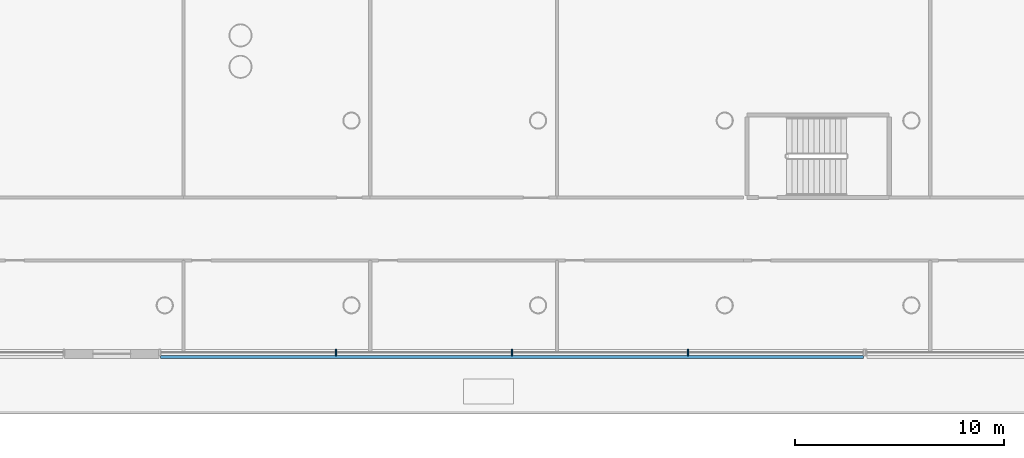
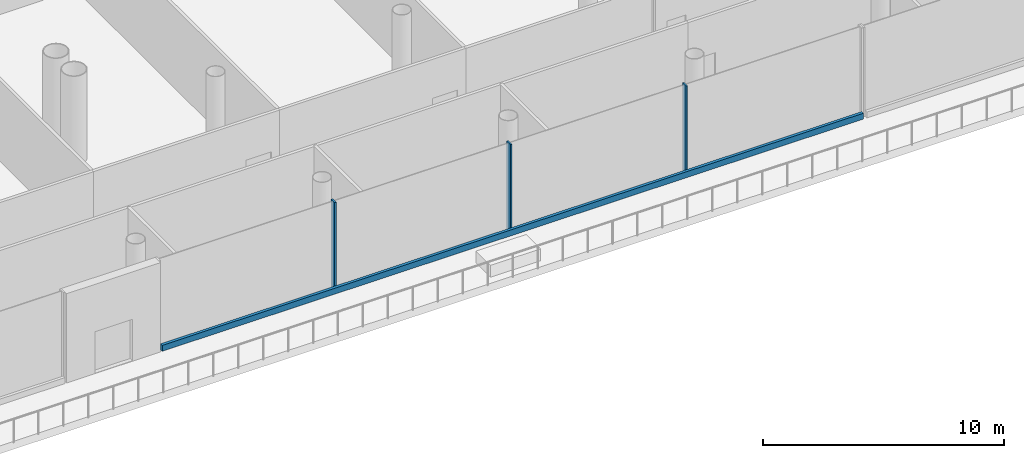
# One storey, part 6 of 49: 4 members, 1 element without a shape of its own.
"""IFC4 building model written with IfcOpenShell, lengths in metres."""

from ifc_helpers import new_model, si_unit, direction, frame, origin, origin_2d, place, context, subcontext, project, spatial, rectangle, extrude, material, layer, layer_set, material_profile, profile_set, type_object, element, aggregate, save


model = new_model("IFC4")

# Units and contexts
model_context = context("Model", 3, precision=1e-05, world=origin(), true_north=direction((0.0, 1.0)))
body_context = subcontext(model_context, "Body", "Model", "MODEL_VIEW")
ifc_project = project(units=[si_unit("LENGTHUNIT", "METRE"), si_unit("AREAUNIT", "SQUARE_METRE"), si_unit("VOLUMEUNIT", "CUBIC_METRE"), si_unit("PLANEANGLEUNIT", "RADIAN"), si_unit("MASSUNIT", "GRAM", prefix="KILO")], contexts=[model_context])

# Site, building, storey
site_placement = place(None, origin())
site = spatial("IfcSite", under=ifc_project, at=site_placement, CompositionType="ELEMENT")
building_placement = place(site_placement, origin())
building = spatial("IfcBuilding", under=site, at=building_placement, Name="Ipe Terrace Towers", CompositionType="ELEMENT")
storey_placement = place(building_placement, frame((0.0, 0.0, 20.0)))
storey = spatial("IfcBuildingStorey", under=building, at=storey_placement, Name="L04", CompositionType="ELEMENT", Elevation=20.0)

# Curtain wall, members
ifc_material_1 = material(Name="Aluminium alloy 6063-T6", Category="aluminium")
ifc_layer = layer(ifc_material_1, 0.43994140625)
ifc_layer_set = layer_set([ifc_layer], Name="PODIUM GLAZING CURTAIN WALL")
curtain_wall_type = type_object("IfcCurtainWallType", Name="PODIUM GLAZING CURTAIN WALL", PredefinedType="NOTDEFINED", material=ifc_layer_set)
curtain_wall_placement = place(storey_placement, origin())
curtain_wall = element("IfcCurtainWall", 1, at=curtain_wall_placement, inside=storey, type_object=curtain_wall_type, Name="POD-CW-L04-03c curtain wall", PredefinedType="NOTDEFINED")
ifc_material_2 = material(Name="Aluminium alloy 6063-T6", Category="aluminium")
ifc_material_profile_1 = material_profile(ifc_material_2, rectangle(XDim=0.300048828125, YDim=0.080078125, at=origin_2d()), Name="PODIUM GLAZING MULLION 300 x 80")
ifc_profile_set_1 = profile_set([ifc_material_profile_1], Name="Aluminium alloy 6063-T6")
member_type_1 = type_object("IfcMemberType", Name="PODIUM GLAZING MULLION 300 x 80", PredefinedType="MULLION", material=ifc_profile_set_1)
member_1_placement = place(storey_placement, frame((-25.29248046875, -30.89990234375, -0.02001953125), z_axis=(0.0, 0.0, 1.0), x_axis=(0.0, -1.0, 0.0)))
member_1 = element("IfcMember", 2, at=member_1_placement, type_object=member_type_1, Name="POD-CW-L04-03c mullion 2", PredefinedType="MULLION", context=body_context, shape_type="SweptSolid", body=[
    extrude(rectangle(XDim=0.300048828125, YDim=0.080078125, at=origin_2d()), origin(), (0.0, 0.0, 1.0), 4.52001953125),
])
member_2_placement = place(storey_placement, frame((-16.875, -30.89990234375, -0.02001953125), z_axis=(0.0, 0.0, 1.0), x_axis=(0.0, -1.0, 0.0)))
member_2 = element("IfcMember", 3, at=member_2_placement, type_object=member_type_1, Name="POD-CW-L04-03c mullion 3", PredefinedType="MULLION", context=body_context, shape_type="SweptSolid", body=[
    extrude(rectangle(XDim=0.300048828125, YDim=0.080078125, at=origin_2d()), origin(), (0.0, 0.0, 1.0), 4.52001953125),
])
member_3_placement = place(storey_placement, frame((-8.45751953125, -30.89990234375, -0.02001953125), z_axis=(0.0, 0.0, 1.0), x_axis=(0.0, -1.0, 0.0)))
member_3 = element("IfcMember", 4, at=member_3_placement, type_object=member_type_1, Name="POD-CW-L04-03c mullion 4", PredefinedType="MULLION", context=body_context, shape_type="SweptSolid", body=[
    extrude(rectangle(XDim=0.300048828125, YDim=0.080078125, at=origin_2d()), origin(), (0.0, 0.0, 1.0), 4.52001953125),
])
ifc_material_3 = material(Name="Aluminium alloy 6063-T6", Category="aluminium")
ifc_material_profile_2 = material_profile(ifc_material_3, rectangle(XDim=0.139892578125, YDim=0.300048828125, at=origin_2d()), Name="PODIUM GLAZING TRANSOM 140 x 300")
ifc_profile_set_2 = profile_set([ifc_material_profile_2], Name="Aluminium alloy 6063-T6")
member_type_2 = type_object("IfcMemberType", Name="PODIUM GLAZING TRANSOM 140 x 300", PredefinedType="USERDEFINED", material=ifc_profile_set_2)
member_4_placement = place(storey_placement, frame((-33.669921875, -31.1201171875, 0.1298828125), z_axis=(1.0, 0.0, 0.0), x_axis=(0.0, -1.0, 0.0)))
member_4 = element("IfcMember", 5, at=member_4_placement, type_object=member_type_2, Name="POD-CW-L04-03c transom", ObjectType="TRANSOM", PredefinedType="USERDEFINED", context=body_context, shape_type="SweptSolid", body=[
    extrude(rectangle(XDim=0.139892578125, YDim=0.300048828125, at=origin_2d()), origin(), (0.0, 0.0, 1.0), 33.58984375),
])
aggregate(curtain_wall, [member_1, member_2, member_3, member_4])

save(model, "model.ifc")
